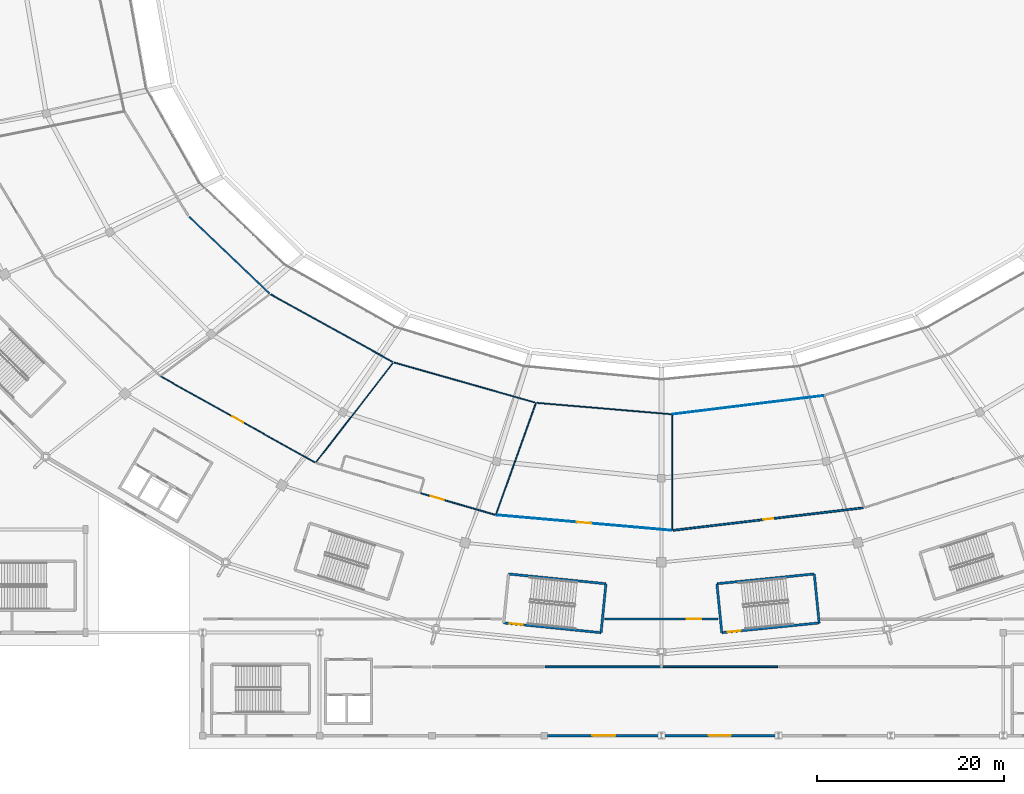
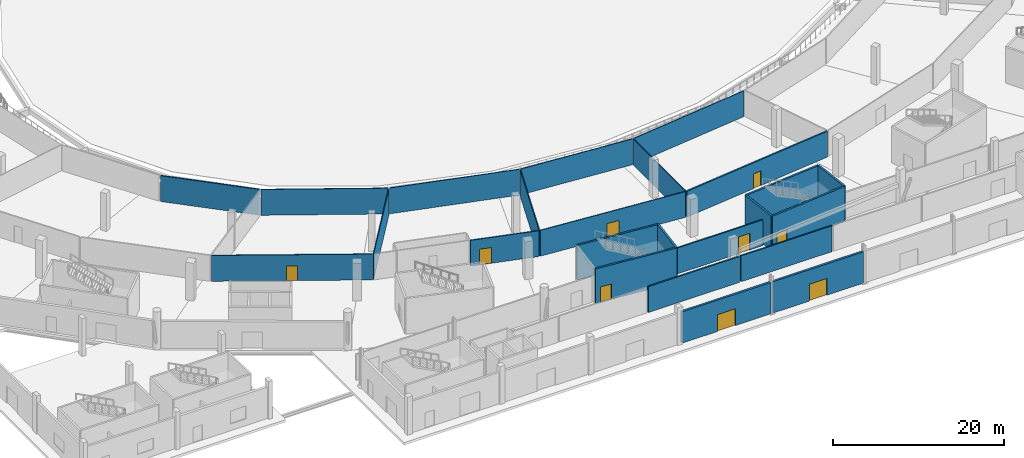
# One storey, part 39 of 82: 24 walls, 9 doors, 9 openings.
"""IFC4 building model written with IfcOpenShell, lengths in metres."""

import ifcopenshell
import ifcopenshell.guid

model = None  # the IFC model being written
_history = None  # IfcOwnerHistory: only IFC2X3 demands one
_inside = {}  # id of a spatial element -> (the spatial element, [elements in it])
_under = {}  # id of a project, library or spatial element -> (it, [spatial elements below it])
_declared = {}  # id of a project -> (the project, [libraries it declares])
_typed = {}  # id of a type object -> (the type object, [elements of that type])
_made_of = {}  # id of a material, layer set ... -> (it, [elements and type objects made of it])


def new_model(schema):
    """Start an empty IFC model of exactly this schema.

    Asked for "IFC4X3", IfcOpenShell would pick the latest addendum, in which some entities
    have other attributes; the version numbers below select the first issue.
    IFC2X3 requires an IfcOwnerHistory on every rooted entity: one is made here for all.
    """
    global model, _history
    if schema == "IFC4X3":
        model = ifcopenshell.file(schema_version=(4, 3, 0, 0))
    else:
        model = ifcopenshell.file(schema=schema)
    _inside.clear()
    _under.clear()
    _declared.clear()
    _typed.clear()
    _made_of.clear()
    _history = None
    if model.schema == "IFC2X3":
        org = make("IfcOrganization", Name="unknown")
        user = make(
            "IfcPersonAndOrganization",
            ThePerson=make("IfcPerson", FamilyName="unknown"),
            TheOrganization=org,
        )
        app = make(
            "IfcApplication",
            ApplicationDeveloper=org,
            Version="unknown",
            ApplicationFullName="unknown",
            ApplicationIdentifier="unknown",
        )
        _history = make(
            "IfcOwnerHistory",
            OwningUser=user,
            OwningApplication=app,
            ChangeAction="ADDED",
            CreationDate=0,
        )
    return model


def make(cls, **values):
    """One entity of the class cls with the attributes given. An attribute that is None is left unset."""
    return model.create_entity(
        cls, **{name: value for name, value in values.items() if value is not None}
    )


def rooted(cls, **values):
    """An entity with a GlobalId (a new one), such as an element, a storey or a relation."""
    return make(cls, GlobalId=ifcopenshell.guid.new(), OwnerHistory=_history, **values)


def si_unit(unit_type, name, prefix=None):
    """IfcSIUnit, for example si_unit("LENGTHUNIT", "METRE", prefix="MILLI")."""
    return make("IfcSIUnit", UnitType=unit_type, Prefix=prefix, Name=name)


def assignment(units):
    """IfcUnitAssignment: the units of a project."""
    return None if units is None else make("IfcUnitAssignment", Units=units)


def point(xyz):
    """IfcCartesianPoint."""
    return None if xyz is None else make("IfcCartesianPoint", Coordinates=xyz)


def direction(xyz):
    """IfcDirection."""
    return None if xyz is None else make("IfcDirection", DirectionRatios=xyz)


def frame(location, z_axis=None, x_axis=None):
    """IfcAxis2Placement3D, a coordinate frame: its origin and axes. An axis left out is left unset."""
    return make(
        "IfcAxis2Placement3D",
        Location=point(location),
        Axis=direction(z_axis),
        RefDirection=direction(x_axis),
    )


def frame_2d(location, x_axis=None):
    """IfcAxis2Placement2D, a coordinate frame in the plane: its origin and x axis."""
    return make(
        "IfcAxis2Placement2D", Location=point(location), RefDirection=direction(x_axis)
    )


def origin():
    """The frame at (0, 0, 0) with its axes left unset."""
    return frame((0.0, 0.0, 0.0))


def place(relative_to, where):
    """IfcLocalPlacement: puts the frame where relative to a parent placement (None: the world)."""
    return make(
        "IfcLocalPlacement", PlacementRelTo=relative_to, RelativePlacement=where
    )


def context(
    kind, dimensions, precision=None, world=None, true_north=None, identifier=None
):
    """IfcGeometricRepresentationContext, for example the 3D "Model" context."""
    return make(
        "IfcGeometricRepresentationContext",
        ContextIdentifier=identifier,
        ContextType=kind,
        CoordinateSpaceDimension=dimensions,
        Precision=precision,
        WorldCoordinateSystem=world,
        TrueNorth=true_north,
    )


def subcontext(parent, identifier, kind, view, scale=None):
    """IfcGeometricRepresentationSubContext, for example "Body" below "Model"."""
    return make(
        "IfcGeometricRepresentationSubContext",
        ContextIdentifier=identifier,
        ContextType=kind,
        ParentContext=parent,
        TargetScale=scale,
        TargetView=view,
    )


def project(units=None, contexts=None):
    """IfcProject with its units and contexts."""
    return rooted(
        "IfcProject",
        Name="project",
        RepresentationContexts=contexts,
        UnitsInContext=assignment(units),
    )


def spatial(cls, under=None, at=None, **own):
    """A site, building, storey or space (cls), placed at a placement, below another one or the project."""
    s = rooted(cls, ObjectPlacement=at, **own)
    if under is not None:
        _under.setdefault(under.id(), (under, []))[1].append(s)
    return s


def profile(cls, at=None, kind="AREA", **sizes):
    """A parametric profile (cls). Its sizes go by their IFC names, for example OverallWidth=200.0."""
    return make(cls, ProfileType=kind, Position=at, **sizes)


def rectangle(**sizes):
    """IfcRectangleProfileDef."""
    return profile("IfcRectangleProfileDef", **sizes)


def extrude(swept, where, along, depth):
    """IfcExtrudedAreaSolid: the profile swept, set in the frame where, extruded along a direction by depth."""
    return make(
        "IfcExtrudedAreaSolid",
        SweptArea=swept,
        Position=where,
        ExtrudedDirection=direction(along),
        Depth=depth,
    )


def shape(context_of_items, identifier, shape_type, items):
    """IfcShapeRepresentation: the items that make up one representation, for example the "Body"."""
    return make(
        "IfcShapeRepresentation",
        ContextOfItems=context_of_items,
        RepresentationIdentifier=identifier,
        RepresentationType=shape_type,
        Items=items,
    )


def material(Name=None, Category=None):
    """IfcMaterial."""
    return make("IfcMaterial", Name=Name, Category=Category)


def layer(
    of_material, thickness, ventilated=None, Name=None, Category=None, Priority=None
):
    """IfcMaterialLayer: one layer of a wall or slab, of a material (None: an air gap)."""
    return make(
        "IfcMaterialLayer",
        Material=of_material,
        LayerThickness=thickness,
        IsVentilated=ventilated,
        Name=Name,
        Category=Category,
        Priority=Priority,
    )


def layer_set(layers, Name=None):
    """IfcMaterialLayerSet."""
    return make("IfcMaterialLayerSet", MaterialLayers=layers, LayerSetName=Name)


def made_of(thing, what):
    """Note that an element or type object is made of a material, layer set ...; save() writes the relation."""
    if what is not None:
        _made_of.setdefault(what.id(), (what, []))[1].append(thing)
    return thing


def type_object(cls, material=None, **own):
    """A type object (cls), such as IfcWallType, which elements share."""
    return made_of(rooted(cls, **own), material)


def element(
    cls,
    number,
    at=None,
    inside=None,
    cuts=None,
    type_object=None,
    material=None,
    context=None,
    identifier="Body",
    shape_type=None,
    held_by="IfcProductDefinitionShape",
    body=None,
    shapes=None,
    **own,
):
    """One element of the class cls, such as IfcWall. Its Tag is "e" and its number.

    at: its placement. inside: the storey or other place that contains it. cuts: it is an
    opening in that element (IfcRelVoidsElement). A single representation is given by context,
    identifier, shape_type and body (its items); several are given by shapes. held_by: the class
    of the entity that holds the representations. save() writes the other relations.
    """
    e = rooted(cls, Tag="e%d" % number, ObjectPlacement=at, **own)
    if body is not None:
        shapes = [shape(context, identifier, shape_type, body)]
    if shapes is not None:
        e.Representation = make(held_by, Representations=shapes)
    if inside is not None:
        _inside.setdefault(inside.id(), (inside, []))[1].append(e)
    if cuts is not None:
        rooted(
            "IfcRelVoidsElement", RelatingBuildingElement=cuts, RelatedOpeningElement=e
        )
    if type_object is not None:
        _typed.setdefault(type_object.id(), (type_object, []))[1].append(e)
    return made_of(e, material)


def fill(opening, filler):
    """IfcRelFillsElement: the door or window that sits in an opening."""
    return rooted(
        "IfcRelFillsElement",
        RelatingOpeningElement=opening,
        RelatedBuildingElement=filler,
    )


def aggregate(whole, parts):
    """IfcRelAggregates: a whole, such as a stair, and the parts it consists of."""
    return rooted("IfcRelAggregates", RelatingObject=whole, RelatedObjects=parts)


def save(model, path):
    """Write the relations noted so far, then the file.

    IfcRelAggregates (storeys below a building ...), IfcRelContainedInSpatialStructure (elements
    in a storey), IfcRelDefinesByType, IfcRelAssociatesMaterial and IfcRelDeclares: one each for
    every whole, place, type object, material and project.
    """
    for whole, parts in _under.values():
        aggregate(whole, parts)
    for where, things in _inside.values():
        rooted(
            "IfcRelContainedInSpatialStructure",
            RelatedElements=things,
            RelatingStructure=where,
        )
    for kind, things in _typed.values():
        rooted("IfcRelDefinesByType", RelatedObjects=things, RelatingType=kind)
    for what, things in _made_of.values():
        rooted("IfcRelAssociatesMaterial", RelatedObjects=things, RelatingMaterial=what)
    for by, libraries in _declared.values():
        rooted("IfcRelDeclares", RelatingContext=by, RelatedDefinitions=libraries)
    model.write(path)


model = new_model("IFC4")

# Units and contexts
model_context = context("Model", 3, precision=1e-05, world=origin(), true_north=direction((0.0, 1.0)))
body_context = subcontext(model_context, "Body", "Model", "MODEL_VIEW")
ifc_project = project(units=[si_unit("LENGTHUNIT", "METRE"), si_unit("AREAUNIT", "SQUARE_METRE"), si_unit("VOLUMEUNIT", "CUBIC_METRE"), si_unit("PLANEANGLEUNIT", "RADIAN"), si_unit("MASSUNIT", "GRAM", prefix="KILO")], contexts=[model_context])

# Site, building, storey
site_placement = place(None, origin())
site = spatial("IfcSite", under=ifc_project, at=site_placement, CompositionType="ELEMENT")
building_placement = place(site_placement, origin())
building = spatial("IfcBuilding", under=site, at=building_placement, Name="Zlatoyarsky Gate Stadium", CompositionType="ELEMENT")
storey_placement = place(building_placement, origin())
storey = spatial("IfcBuildingStorey", under=building, at=storey_placement, Name="L00", CompositionType="ELEMENT", Elevation=0.0)

# Walls
ifc_material_1 = material(Name="Anodised aluminium acoustic operable wall", Category="aluminium")
ifc_layer_1 = layer(ifc_material_1, 0.114990234375)
ifc_layer_set_1 = layer_set([ifc_layer_1], Name="Anodised aluminium acoustic operable wall")
wall_type_1 = type_object("IfcWallType", Name="ACOUSTIC OPERABLE SUITE WALL 115", PredefinedType="MOVABLE", material=ifc_layer_set_1)
wall_1_placement = place(storey_placement, frame((82.460205078125, 39.846923828125, 0.0), z_axis=(0.0, 0.0, 1.0), x_axis=(0.961896561594, -0.273413614865, 0.0)))
element("IfcWall", 1, at=wall_1_placement, inside=storey, type_object=wall_type_1, Name="L00 interior partition PRT-L00-IRN-16", PredefinedType="MOVABLE", context=body_context, shape_type="SweptSolid", body=[
    extrude(rectangle(XDim=15.6630859375, YDim=0.114990234375, at=frame_2d((7.83154296875, 0.0))), origin(), (0.0, 0.0, 1.0), 3.68994140625),
])
wall_2_placement = place(storey_placement, frame((112.144287109375, 34.2294921875, 0.0), z_axis=(0.0, 0.0, 1.0), x_axis=(0.0, -1.0, 0.0)))
element("IfcWall", 2, at=wall_2_placement, inside=storey, type_object=wall_type_1, Name="L00 interior partition PRT-L00-IRD-18", PredefinedType="MOVABLE", context=body_context, shape_type="SweptSolid", body=[
    extrude(rectangle(XDim=12.230224609375, YDim=0.114990234375, at=frame_2d((6.115234375, 0.0))), origin(), (0.0, 0.0, 1.0), 3.68994140625),
])

# Wall, opening, door
ifc_material_2 = material(Name="Gypsum-clad mineral wool fire partition", Category="gypsum")
ifc_layer_2 = layer(ifc_material_2, 0.199951171875)
ifc_layer_set_2 = layer_set([ifc_layer_2], Name="Gypsum-clad mineral wool fire partition")
wall_type_2 = type_object("IfcWallType", Name="COMPARTMENT FIRE PARTITION WALL 200", PredefinedType="PARTITIONING", material=ifc_layer_set_2)
wall_3_placement = place(storey_placement, frame((112.228759765625, 21.92431640625, 0.0), z_axis=(0.0, 0.0, 1.0), x_axis=(0.993087286647, 0.11737819687, 0.0)))
wall_3 = element("IfcWall", 3, at=wall_3_placement, inside=storey, type_object=wall_type_2, Name="L00 interior partition PRT-L00-ICC-18", PredefinedType="PARTITIONING", context=body_context, shape_type="SweptSolid", body=[
    extrude(rectangle(XDim=20.470947265625, YDim=0.199951171875, at=frame_2d((10.2353515625, 0.0))), origin(), (0.0, 0.0, 1.0), 3.68994140625),
])
opening_1_placement = place(wall_3_placement, frame((9.6953125, 0.0, 0.0)))
opening_1 = element("IfcOpeningElement", 4, at=opening_1_placement, cuts=wall_3, Name="Opening D-L00-170", PredefinedType="OPENING", context=body_context, shape_type="SweptSolid", body=[
    extrude(rectangle(XDim=1.080078125, YDim=2.10009765625, at=frame_2d((0.5400390625, 1.050048828125))), frame((0.0, 0.10986328125, 0.0), z_axis=(0.0, -1.0, 0.0), x_axis=(1.0, 0.0, 0.0)), (0.0, 0.0, 1.0), 0.219970703125),
])
ifc_material_3 = material(Name="Powder-coated steel fire door", Category="steel")
door_type_1 = type_object("IfcDoorType", Name="ACOUSTIC INTERIOR DOOR 1080X2100", OperationType="NOTDEFINED", PredefinedType="DOOR", material=ifc_material_3)
door_1_placement = place(opening_1_placement, origin())
door_1 = element("IfcDoor", 5, at=door_1_placement, inside=storey, type_object=door_type_1, Name="L00 room door D-L00-170", OperationType="SINGLE_SWING_LEFT", OverallHeight=2.10009765625, OverallWidth=1.080078125, PredefinedType="DOOR", context=body_context, shape_type="SweptSolid", body=[
    extrude(rectangle(XDim=1.080078125, YDim=2.10009765625, at=frame_2d((0.5400390625, 1.050048828125))), frame((0.0, 0.02490234375, 0.0), z_axis=(0.0, -1.0, 0.0), x_axis=(1.0, 0.0, 0.0)), (0.0, 0.0, 1.0), 0.050048828125),
])
fill(opening_1, door_1)

# Walls
wall_4_placement = place(storey_placement, frame((98.5849609375, 7.35009765625, 0.0), z_axis=(0.0, 0.0, 1.0), x_axis=(1.0, 0.0, 0.0)))
element("IfcWall", 6, at=wall_4_placement, inside=storey, type_object=wall_type_2, Name="L00 interior partition PRT-L00-V3SC-S3_3", PredefinedType="PARTITIONING", context=body_context, shape_type="SweptSolid", body=[
    extrude(rectangle(XDim=12.330078125, YDim=0.199951171875, at=frame_2d((6.1650390625, 0.0))), origin(), (0.0, 0.0, 1.0), 3.68994140625),
])
ifc_material_4 = material(Name="Concrete C40/50", Category="concrete")
ifc_layer_3 = layer(ifc_material_4, 0.25)
ifc_layer_set_3 = layer_set([ifc_layer_3], Name="Concrete C40/50")
wall_type_3 = type_object("IfcWallType", Name="CONCRETE STAIR CORE SHEAR WALL 250", PredefinedType="SHEAR", material=ifc_layer_set_3)
wall_5_placement = place(storey_placement, frame((116.92138671875, 16.220947265625, 0.0), z_axis=(0.0, 0.0, 1.0), x_axis=(0.100028593886, -0.994984562898, 0.0)))
element("IfcWall", 7, at=wall_5_placement, inside=storey, type_object=wall_type_3, Name="ST-10 L00 stair core entrance shear wall", PredefinedType="SHEAR", context=body_context, shape_type="SweptSolid", body=[
    extrude(rectangle(XDim=5.25, YDim=0.25, at=frame_2d((2.625, 0.0))), origin(), (0.0, 0.0, 1.0), 4.93994140625),
])

# Wall, opening, door
wall_6_placement = place(storey_placement, frame((117.446533203125, 10.997314453125, 0.0), z_axis=(0.0, 0.0, 1.0), x_axis=(0.994985938948, 0.100014905366, 0.0)))
wall_6 = element("IfcWall", 8, at=wall_6_placement, inside=storey, type_object=wall_type_3, Name="ST-10 L00 stair core left shear wall", PredefinedType="SHEAR", context=body_context, shape_type="SweptSolid", body=[
    extrude(rectangle(XDim=10.4501953125, YDim=0.25, at=frame_2d((5.22509765625, 0.0))), origin(), (0.0, 0.0, 1.0), 4.93994140625),
])
opening_2_placement = place(wall_6_placement, frame((0.64990234375, 0.0, 0.0)))
opening_2 = element("IfcOpeningElement", 9, at=opening_2_placement, cuts=wall_6, Name="Opening SD-ST-10-L00", PredefinedType="OPENING", context=body_context, shape_type="SweptSolid", body=[
    extrude(rectangle(XDim=1.39990234375, YDim=2.199951171875, at=frame_2d((0.699951171875, 1.10009765625))), frame((0.0, 0.135009765625, 0.0), z_axis=(0.0, -1.0, 0.0), x_axis=(1.0, 0.0, 0.0)), (0.0, 0.0, 1.0), 0.27001953125),
])
door_type_2 = type_object("IfcDoorType", Name="STAIR CORE FIRE EXIT DOOR 1400X2200", OperationType="NOTDEFINED", PredefinedType="DOOR", material=ifc_material_3)
door_2_placement = place(opening_2_placement, frame((1.39990234375, 0.0, 0.0), z_axis=(0.0, 0.0, 1.0), x_axis=(-1.0, 0.0, 0.0)))
door_2 = element("IfcDoor", 10, at=door_2_placement, inside=storey, type_object=door_type_2, Name="ST-10 L00 protected exit discharge fire door", OperationType="SINGLE_SWING_RIGHT", OverallHeight=2.199951171875, OverallWidth=1.39990234375, PredefinedType="DOOR", context=body_context, shape_type="SweptSolid", body=[
    extrude(rectangle(XDim=1.39990234375, YDim=2.199951171875, at=frame_2d((0.699951171875, 1.10009765625))), frame((0.0, 0.02490234375, 0.0), z_axis=(0.0, -1.0, 0.0), x_axis=(1.0, 0.0, 0.0)), (0.0, 0.0, 1.0), 0.050048828125),
])
fill(opening_2, door_2)

# Walls
wall_7_placement = place(storey_placement, frame((127.84423828125, 12.04248046875, 0.0), z_axis=(0.0, 0.0, 1.0), x_axis=(-0.100028593886, 0.994984562898, 0.0)))
element("IfcWall", 11, at=wall_7_placement, inside=storey, type_object=wall_type_3, Name="ST-10 L00 stair core far shear wall", PredefinedType="SHEAR", context=body_context, shape_type="SweptSolid", body=[
    extrude(rectangle(XDim=5.25, YDim=0.25, at=frame_2d((2.625, 0.0))), origin(), (0.0, 0.0, 1.0), 4.93994140625),
])
wall_8_placement = place(storey_placement, frame((127.319091796875, 17.26611328125, 0.0), z_axis=(0.0, 0.0, 1.0), x_axis=(-0.994985938948, -0.100014905366, 0.0)))
element("IfcWall", 12, at=wall_8_placement, inside=storey, type_object=wall_type_3, Name="ST-10 L00 stair core right shear wall", PredefinedType="SHEAR", context=body_context, shape_type="SweptSolid", body=[
    extrude(rectangle(XDim=10.4501953125, YDim=0.25, at=frame_2d((5.22509765625, 0.0))), origin(), (0.0, 0.0, 1.0), 4.93994140625),
])

# Wall, opening, door
wall_9_placement = place(storey_placement, frame((94.15576171875, 12.042236328125, 0.0), z_axis=(0.0, 0.0, 1.0), x_axis=(0.994988263568, -0.09999177647, 0.0)))
wall_9 = element("IfcWall", 13, at=wall_9_placement, inside=storey, type_object=wall_type_3, Name="ST-19 L00 stair core left shear wall", PredefinedType="SHEAR", context=body_context, shape_type="SweptSolid", body=[
    extrude(rectangle(XDim=10.4501953125, YDim=0.25, at=frame_2d((5.22509765625, 0.0))), origin(), (0.0, 0.0, 1.0), 4.93994140625),
])
opening_3_placement = place(wall_9_placement, frame((0.64990234375, 0.0, 0.0)))
opening_3 = element("IfcOpeningElement", 14, at=opening_3_placement, cuts=wall_9, Name="Opening SD-ST-19-L00", PredefinedType="OPENING", context=body_context, shape_type="SweptSolid", body=[
    extrude(rectangle(XDim=1.39990234375, YDim=2.199951171875, at=frame_2d((0.699951171875, 1.10009765625))), frame((0.0, 0.135009765625, 0.0), z_axis=(0.0, -1.0, 0.0), x_axis=(1.0, 0.0, 0.0)), (0.0, 0.0, 1.0), 0.27001953125),
])
door_3_placement = place(opening_3_placement, frame((1.39990234375, 0.0, 0.0), z_axis=(0.0, 0.0, 1.0), x_axis=(-1.0, 0.0, 0.0)))
door_3 = element("IfcDoor", 15, at=door_3_placement, inside=storey, type_object=door_type_2, Name="ST-19 L00 protected exit discharge fire door", OperationType="SINGLE_SWING_RIGHT", OverallHeight=2.199951171875, OverallWidth=1.39990234375, PredefinedType="DOOR", context=body_context, shape_type="SweptSolid", body=[
    extrude(rectangle(XDim=1.39990234375, YDim=2.199951171875, at=frame_2d((0.699951171875, 1.10009765625))), frame((0.0, 0.02490234375, 0.0), z_axis=(0.0, -1.0, 0.0), x_axis=(1.0, 0.0, 0.0)), (0.0, 0.0, 1.0), 0.050048828125),
])
fill(opening_3, door_3)

# Walls
wall_10_placement = place(storey_placement, frame((104.553466796875, 10.997314453125, 0.0), z_axis=(0.0, 0.0, 1.0), x_axis=(0.099982555566, 0.994989190184, 0.0)))
element("IfcWall", 16, at=wall_10_placement, inside=storey, type_object=wall_type_3, Name="ST-19 L00 stair core far shear wall", PredefinedType="SHEAR", context=body_context, shape_type="SweptSolid", body=[
    extrude(rectangle(XDim=5.25, YDim=0.25, at=frame_2d((2.625, 0.0))), origin(), (0.0, 0.0, 1.0), 4.93994140625),
])
wall_11_placement = place(storey_placement, frame((105.078369140625, 16.220947265625, 0.0), z_axis=(0.0, 0.0, 1.0), x_axis=(-0.994985705245, 0.100017230303, 0.0)))
element("IfcWall", 17, at=wall_11_placement, inside=storey, type_object=wall_type_3, Name="ST-19 L00 stair core right shear wall", PredefinedType="SHEAR", context=body_context, shape_type="SweptSolid", body=[
    extrude(rectangle(XDim=10.449951171875, YDim=0.25, at=frame_2d((5.22509765625, 0.0))), origin(), (0.0, 0.0, 1.0), 4.93994140625),
])
ifc_material_5 = material(Name="Timber-veneered acoustic operable partition", Category="wood")
ifc_layer_4 = layer(ifc_material_5, 0.094970703125)
ifc_layer_set_4 = layer_set([ifc_layer_4], Name="Timber-veneered acoustic operable partition")
wall_type_4 = type_object("IfcWallType", Name="FOLDING BANQUET SALON WALL 95", PredefinedType="MOVABLE", material=ifc_layer_set_4)
wall_12_placement = place(storey_placement, frame((112.228759765625, 34.324951171875, 0.0), z_axis=(0.0, 0.0, 1.0), x_axis=(0.992450818831, 0.122643272139, 0.0)))
element("IfcWall", 18, at=wall_12_placement, inside=storey, type_object=wall_type_4, Name="L00 interior partition PRT-L00-IRN-18", PredefinedType="MOVABLE", context=body_context, shape_type="SweptSolid", body=[
    extrude(rectangle(XDim=16.154296875, YDim=0.094970703125, at=frame_2d((8.0771484375, 0.0))), origin(), (0.0, 0.0, 1.0), 3.68994140625),
])
ifc_material_6 = material(Name="Acoustic metal-stud gypsum partition", Category="gypsum")
ifc_layer_5 = layer(ifc_material_6, 0.159912109375)
ifc_layer_set_5 = layer_set([ifc_layer_5], Name="Acoustic metal-stud gypsum partition")
wall_type_5 = type_object("IfcWallType", Name="HOSPITALITY SUITE PARTITION 160", PredefinedType="PARTITIONING", material=ifc_layer_set_5)
wall_13_placement = place(storey_placement, frame((60.56005859375, 55.421875, 0.0), z_axis=(0.0, 0.0, 1.0), x_axis=(0.72315108732, -0.690689876072, 0.0)))
element("IfcWall", 19, at=wall_13_placement, inside=storey, type_object=wall_type_5, Name="L00 interior partition PRT-L00-IRN-14", PredefinedType="PARTITIONING", context=body_context, shape_type="SweptSolid", body=[
    extrude(rectangle(XDim=11.875732421875, YDim=0.159912109375, at=frame_2d((5.93798828125, 0.0))), origin(), (0.0, 0.0, 1.0), 3.68994140625),
])

# Wall, opening, door
ifc_material_7 = material(Name="Precast concrete C40/50 architectural panel", Category="concrete")
ifc_layer_6 = layer(ifc_material_7, 0.280029296875)
ifc_layer_set_6 = layer_set([ifc_layer_6], Name="Precast concrete C40/50 architectural panel")
wall_type_6 = type_object("IfcWallType", Name="INSULATED WING SPANDREL WALL 280", PredefinedType="STANDARD", material=ifc_layer_set_6)
wall_14_placement = place(storey_placement, frame((98.846923828125, 0.0, 0.0), z_axis=(0.0, 0.0, 1.0), x_axis=(1.0, 0.0, 0.0)))
wall_14 = element("IfcWall", 20, at=wall_14_placement, inside=storey, type_object=wall_type_6, Name="V3_SOUTH L00 S exterior wall", PredefinedType="STANDARD", context=body_context, shape_type="SweptSolid", body=[
    extrude(rectangle(XDim=12.006103515625, YDim=0.280029296875, at=frame_2d((6.0029296875, 0.0))), origin(), (0.0, 0.0, 1.0), 4.47998046875),
])
opening_4_placement = place(wall_14_placement, frame((4.778076171875, 0.0, 0.0)))
opening_4 = element("IfcOpeningElement", 21, at=opening_4_placement, cuts=wall_14, Name="Opening G14", PredefinedType="OPENING", context=body_context, shape_type="SweptSolid", body=[
    extrude(rectangle(XDim=2.449951171875, YDim=2.39990234375, at=frame_2d((1.22509765625, 1.199951171875))), frame((0.0, 0.14990234375, 0.0), z_axis=(0.0, -1.0, 0.0), x_axis=(1.0, 0.0, 0.0)), (0.0, 0.0, 1.0), 0.300048828125),
])
ifc_material_8 = material(Name="Thermally broken powder-coated steel and laminated safety glass", Category="steel")
door_type_3 = type_object("IfcDoorType", Name="PEDESTRIAN FINAL EXIT DOUBLE DOOR 2450X2400", OperationType="DOUBLE_DOOR_SINGLE_SWING", PredefinedType="DOOR", material=ifc_material_8)
door_4_placement = place(opening_4_placement, frame((2.449951171875, 0.0, 0.0), z_axis=(0.0, 0.0, 1.0), x_axis=(-1.0, 0.0, 0.0)))
door_4 = element("IfcDoor", 22, at=door_4_placement, inside=storey, type_object=door_type_3, Name="Exterior door G14", OperationType="DOUBLE_DOOR_SINGLE_SWING", OverallHeight=2.39990234375, OverallWidth=2.449951171875, PredefinedType="DOOR", context=body_context, shape_type="SweptSolid", body=[
    extrude(rectangle(XDim=2.449951171875, YDim=2.39990234375, at=frame_2d((1.22509765625, 1.199951171875))), frame((0.0, 0.02490234375, 0.0), z_axis=(0.0, -1.0, 0.0), x_axis=(1.0, 0.0, 0.0)), (0.0, 0.0, 1.0), 0.050048828125),
])
fill(opening_4, door_4)

wall_15_placement = place(storey_placement, frame((111.14697265625, 0.0, 0.0), z_axis=(0.0, 0.0, 1.0), x_axis=(1.0, 0.0, 0.0)))
wall_15 = element("IfcWall", 23, at=wall_15_placement, inside=storey, type_object=wall_type_6, Name="V3_SOUTH L00 S exterior wall", PredefinedType="STANDARD", context=body_context, shape_type="SweptSolid", body=[
    extrude(rectangle(XDim=12.2060546875, YDim=0.280029296875, at=frame_2d((6.10302734375, 0.0))), origin(), (0.0, 0.0, 1.0), 4.47998046875),
])
opening_5_placement = place(wall_15_placement, frame((4.927978515625, 0.0, 0.0)))
opening_5 = element("IfcOpeningElement", 24, at=opening_5_placement, cuts=wall_15, Name="Opening G15", PredefinedType="OPENING", context=body_context, shape_type="SweptSolid", body=[
    extrude(rectangle(XDim=2.35009765625, YDim=2.39990234375, at=frame_2d((1.175048828125, 1.199951171875))), frame((0.0, 0.14990234375, 0.0), z_axis=(0.0, -1.0, 0.0), x_axis=(1.0, 0.0, 0.0)), (0.0, 0.0, 1.0), 0.300048828125),
])
door_type_4 = type_object("IfcDoorType", Name="PEDESTRIAN FINAL EXIT DOUBLE DOOR 2350X2400", OperationType="DOUBLE_DOOR_SINGLE_SWING", PredefinedType="DOOR", material=ifc_material_8)
door_5_placement = place(opening_5_placement, frame((2.35009765625, 0.0, 0.0), z_axis=(0.0, 0.0, 1.0), x_axis=(-1.0, 0.0, 0.0)))
door_5 = element("IfcDoor", 25, at=door_5_placement, inside=storey, type_object=door_type_4, Name="Exterior door G15", OperationType="DOUBLE_DOOR_SINGLE_SWING", OverallHeight=2.39990234375, OverallWidth=2.35009765625, PredefinedType="DOOR", context=body_context, shape_type="SweptSolid", body=[
    extrude(rectangle(XDim=2.35009765625, YDim=2.39990234375, at=frame_2d((1.175048828125, 1.199951171875))), frame((0.0, 0.02490234375, 0.0), z_axis=(0.0, -1.0, 0.0), x_axis=(1.0, 0.0, 0.0)), (0.0, 0.0, 1.0), 0.050048828125),
])
fill(opening_5, door_5)

ifc_material_9 = material(Name="Metal-stud gypsum partition", Category="gypsum")
ifc_layer_7 = layer(ifc_material_9, 0.110107421875)
ifc_layer_set_7 = layer_set([ifc_layer_7], Name="Metal-stud gypsum partition")
wall_type_7 = type_object("IfcWallType", Name="KIOSK SERVICE PARTITION 110", PredefinedType="PARTITIONING", material=ifc_layer_set_7)
wall_16_placement = place(storey_placement, frame((57.54638671875, 38.3525390625, 0.0), z_axis=(0.0, 0.0, 1.0), x_axis=(0.873378817677, -0.487041518593, 0.0)))
wall_16 = element("IfcWall", 26, at=wall_16_placement, inside=storey, type_object=wall_type_7, Name="L00 interior partition PRT-L00-ICC-15", PredefinedType="PARTITIONING", context=body_context, shape_type="SweptSolid", body=[
    extrude(rectangle(XDim=18.84423828125, YDim=0.110107421875, at=frame_2d((9.422119140625, 0.0))), origin(), (0.0, 0.0, 1.0), 3.68994140625),
])
opening_6_placement = place(wall_16_placement, frame((8.752197265625, 0.0, 0.0)))
opening_6 = element("IfcOpeningElement", 27, at=opening_6_placement, cuts=wall_16, Name="Opening D-L00-156", PredefinedType="OPENING", context=body_context, shape_type="SweptSolid", body=[
    extrude(rectangle(XDim=1.340087890625, YDim=2.10009765625, at=frame_2d((0.669921875, 1.050048828125))), frame((0.0, 0.06494140625, 0.0), z_axis=(0.0, -1.0, 0.0), x_axis=(1.0, 0.0, 0.0)), (0.0, 0.0, 1.0), 0.130126953125),
])
ifc_material_10 = material(Name="Solid-core oak veneer acoustic door", Category="wood")
door_type_5 = type_object("IfcDoorType", Name="ACOUSTIC INTERIOR DOOR 1340X2100", OperationType="NOTDEFINED", PredefinedType="DOOR", material=ifc_material_10)
door_6_placement = place(opening_6_placement, origin())
door_6 = element("IfcDoor", 28, at=door_6_placement, inside=storey, type_object=door_type_5, Name="L00 room door D-L00-156", OperationType="SINGLE_SWING_LEFT", OverallHeight=2.10009765625, OverallWidth=1.340087890625, PredefinedType="DOOR", context=body_context, shape_type="SweptSolid", body=[
    extrude(rectangle(XDim=1.340087890625, YDim=2.10009765625, at=frame_2d((0.669921875, 1.050048828125))), frame((0.0, 0.02490234375, 0.0), z_axis=(0.0, -1.0, 0.0), x_axis=(1.0, 0.0, 0.0)), (0.0, 0.0, 1.0), 0.050048828125),
])
fill(opening_6, door_6)

# Walls
wall_17_placement = place(storey_placement, frame((97.69287109375, 35.5341796875, 0.0), z_axis=(0.0, 0.0, 1.0), x_axis=(0.996458090884, -0.084090862239, 0.0)))
element("IfcWall", 29, at=wall_17_placement, inside=storey, type_object=wall_type_7, Name="L00 interior partition PRT-L00-IRN-17", PredefinedType="PARTITIONING", context=body_context, shape_type="SweptSolid", body=[
    extrude(rectangle(XDim=14.417724609375, YDim=0.110107421875, at=frame_2d((7.208984375, 0.0))), origin(), (0.0, 0.0, 1.0), 3.68994140625),
])
ifc_layer_8 = layer(ifc_material_9, 0.10009765625)
ifc_layer_set_8 = layer_set([ifc_layer_8], Name="Metal-stud gypsum partition")
wall_type_8 = type_object("IfcWallType", Name="LIGHT STORAGE PARTITION 100", PredefinedType="PARTITIONING", material=ifc_layer_set_8)
wall_18_placement = place(storey_placement, frame((82.326416015625, 39.802734375, 0.0), z_axis=(0.0, 0.0, 1.0), x_axis=(-0.611581787037, -0.791181216767, 0.0)))
element("IfcWall", 30, at=wall_18_placement, inside=storey, type_object=wall_type_8, Name="L00 interior partition PRT-L00-IRD-16", PredefinedType="PARTITIONING", context=body_context, shape_type="SweptSolid", body=[
    extrude(rectangle(XDim=13.400634765625, YDim=0.10009765625, at=frame_2d((6.7001953125, 0.0))), origin(), (0.0, 0.0, 1.0), 3.68994140625),
])

# Wall, opening, door
wall_19_placement = place(storey_placement, frame((93.396484375, 23.557373046875, 0.0), z_axis=(0.0, 0.0, 1.0), x_axis=(0.99618108979, -0.087311146743, 0.0)))
wall_19 = element("IfcWall", 31, at=wall_19_placement, inside=storey, type_object=wall_type_8, Name="L00 interior partition PRT-L00-ICC-17", PredefinedType="PARTITIONING", context=body_context, shape_type="SweptSolid", body=[
    extrude(rectangle(XDim=18.734619140625, YDim=0.10009765625, at=frame_2d((9.3671875, 0.0))), origin(), (0.0, 0.0, 1.0), 3.68994140625),
])
opening_7_placement = place(wall_19_placement, frame((8.58740234375, 0.0, 0.0)))
opening_7 = element("IfcOpeningElement", 32, at=opening_7_placement, cuts=wall_19, Name="Opening D-L00-167", PredefinedType="OPENING", context=body_context, shape_type="SweptSolid", body=[
    extrude(rectangle(XDim=1.56005859375, YDim=2.10009765625, at=frame_2d((0.780029296875, 1.050048828125))), frame((0.0, 0.06005859375, 0.0), z_axis=(0.0, -1.0, 0.0), x_axis=(1.0, 0.0, 0.0)), (0.0, 0.0, 1.0), 0.1201171875),
])
door_type_6 = type_object("IfcDoorType", Name="ACOUSTIC INTERIOR DOOR 1560X2100", OperationType="NOTDEFINED", PredefinedType="DOOR", material=ifc_material_10)
door_7_placement = place(opening_7_placement, origin())
door_7 = element("IfcDoor", 33, at=door_7_placement, inside=storey, type_object=door_type_6, Name="L00 room door D-L00-167", OperationType="SINGLE_SWING_RIGHT", OverallHeight=2.10009765625, OverallWidth=1.56005859375, PredefinedType="DOOR", context=body_context, shape_type="SweptSolid", body=[
    extrude(rectangle(XDim=1.56005859375, YDim=2.10009765625, at=frame_2d((0.780029296875, 1.050048828125))), frame((0.0, 0.02490234375, 0.0), z_axis=(0.0, -1.0, 0.0), x_axis=(1.0, 0.0, 0.0)), (0.0, 0.0, 1.0), 0.050048828125),
])
fill(opening_7, door_7)

# Walls
ifc_layer_9 = layer(ifc_material_9, 0.1201171875)
ifc_layer_set_9 = layer_set([ifc_layer_9], Name="Metal-stud gypsum partition")
wall_type_9 = type_object("IfcWallType", Name="OFFICE AND PRESS PARTITION 120", PredefinedType="PARTITIONING", material=ifc_layer_set_9)
wall_20_placement = place(storey_placement, frame((69.28369140625, 47.11962890625, 0.0), z_axis=(0.0, 0.0, 1.0), x_axis=(0.874875953972, -0.484347050328, 0.0)))
element("IfcWall", 34, at=wall_20_placement, inside=storey, type_object=wall_type_9, Name="L00 interior partition PRT-L00-IRN-15", PredefinedType="PARTITIONING", context=body_context, shape_type="SweptSolid", body=[
    extrude(rectangle(XDim=14.88232421875, YDim=0.1201171875, at=frame_2d((7.441162109375, 0.0))), origin(), (0.0, 0.0, 1.0), 3.68994140625),
])
wall_21_placement = place(storey_placement, frame((97.579345703125, 35.461181640625, 0.0), z_axis=(0.0, 0.0, 1.0), x_axis=(-0.337651827783, -0.941271078486, 0.0)))
element("IfcWall", 35, at=wall_21_placement, inside=storey, type_object=wall_type_9, Name="L00 interior partition PRT-L00-IRD-17", PredefinedType="PARTITIONING", context=body_context, shape_type="SweptSolid", body=[
    extrude(rectangle(XDim=12.5537109375, YDim=0.1201171875, at=frame_2d((6.27685546875, 0.0))), origin(), (0.0, 0.0, 1.0), 3.68994140625),
])

# Wall, opening, door
ifc_layer_10 = layer(ifc_material_2, 0.179931640625)
ifc_layer_set_10 = layer_set([ifc_layer_10], Name="Gypsum-clad mineral wool fire partition")
wall_type_10 = type_object("IfcWallType", Name="PLANT AND KITCHEN RATED WALL 180", PredefinedType="PARTITIONING", material=ifc_layer_set_10)
wall_22_placement = place(storey_placement, frame((104.960205078125, 12.449951171875, 0.0), z_axis=(0.0, 0.0, 1.0), x_axis=(1.0, 0.0, 0.0)))
wall_22 = element("IfcWall", 36, at=wall_22_placement, inside=storey, type_object=wall_type_10, Name="L00 interior partition PRT-L00-V3SC-N2", PredefinedType="PARTITIONING", context=body_context, shape_type="SweptSolid", body=[
    extrude(rectangle(XDim=12.079345703125, YDim=0.179931640625, at=frame_2d((6.03955078125, 0.0))), origin(), (0.0, 0.0, 1.0), 3.68994140625),
])
opening_8_placement = place(wall_22_placement, frame((8.729248046875, 0.0, 0.0)))
opening_8 = element("IfcOpeningElement", 37, at=opening_8_placement, cuts=wall_22, Name="Opening D-L00-199", PredefinedType="OPENING", context=body_context, shape_type="SweptSolid", body=[
    extrude(rectangle(XDim=1.56005859375, YDim=2.3798828125, at=frame_2d((0.780029296875, 1.18994140625))), frame((0.0, 0.099853515625, 0.0), z_axis=(0.0, -1.0, 0.0), x_axis=(1.0, 0.0, 0.0)), (0.0, 0.0, 1.0), 0.199951171875),
])
door_type_7 = type_object("IfcDoorType", Name="ACOUSTIC INTERIOR DOOR 1560X2380", OperationType="NOTDEFINED", PredefinedType="DOOR", material=ifc_material_3)
door_8_placement = place(opening_8_placement, origin())
door_8 = element("IfcDoor", 38, at=door_8_placement, inside=storey, type_object=door_type_7, Name="L00 room door D-L00-199", OperationType="SINGLE_SWING_LEFT", OverallHeight=2.3798828125, OverallWidth=1.56005859375, PredefinedType="DOOR", context=body_context, shape_type="SweptSolid", body=[
    extrude(rectangle(XDim=1.56005859375, YDim=2.3798828125, at=frame_2d((0.780029296875, 1.18994140625))), frame((0.0, 0.02490234375, 0.0), z_axis=(0.0, -1.0, 0.0), x_axis=(1.0, 0.0, 0.0)), (0.0, 0.0, 1.0), 0.050048828125),
])
fill(opening_8, door_8)

# Wall
wall_23_placement = place(storey_placement, frame((111.0849609375, 7.35009765625, 0.0), z_axis=(0.0, 0.0, 1.0), x_axis=(1.0, 0.0, 0.0)))
element("IfcWall", 39, at=wall_23_placement, inside=storey, type_object=wall_type_10, Name="L00 interior partition PRT-L00-V3SC-S3_4", PredefinedType="PARTITIONING", context=body_context, shape_type="SweptSolid", body=[
    extrude(rectangle(XDim=12.330078125, YDim=0.179931640625, at=frame_2d((6.1650390625, 0.0))), origin(), (0.0, 0.0, 1.0), 3.68994140625),
])

# Wall, opening, door
ifc_material_11 = material(Name="Moisture-resistant tile-backed partition", Category="gypsum")
ifc_layer_11 = layer(ifc_material_11, 0.1298828125)
ifc_layer_set_11 = layer_set([ifc_layer_11], Name="Moisture-resistant tile-backed partition")
wall_type_11 = type_object("IfcWallType", Name="SANITARY WET ROOM PARTITION 130", PredefinedType="PARTITIONING", material=ifc_layer_set_11)
wall_24_placement = place(storey_placement, frame((85.302978515625, 25.883544921875, 0.0), z_axis=(0.0, 0.0, 1.0), x_axis=(0.960550123967, -0.278106920709, 0.0)))
wall_24 = element("IfcWall", 40, at=wall_24_placement, inside=storey, type_object=wall_type_11, Name="L00 interior partition PRT-L00-ICC-16", PredefinedType="PARTITIONING", context=body_context, shape_type="SweptSolid", body=[
    extrude(rectangle(XDim=8.2529296875, YDim=0.1298828125, at=frame_2d((4.12646484375, 0.0))), origin(), (0.0, 0.0, 1.0), 3.68994140625),
])
opening_9_placement = place(wall_24_placement, frame((1.10009765625, 0.0, 0.0)))
opening_9 = element("IfcOpeningElement", 41, at=opening_9_placement, cuts=wall_24, Name="Opening D-L00-164", PredefinedType="OPENING", context=body_context, shape_type="SweptSolid", body=[
    extrude(rectangle(XDim=1.43994140625, YDim=2.239990234375, at=frame_2d((0.719970703125, 1.1201171875))), frame((0.0, 0.074951171875, 0.0), z_axis=(0.0, -1.0, 0.0), x_axis=(1.0, 0.0, 0.0)), (0.0, 0.0, 1.0), 0.14990234375),
])
door_type_8 = type_object("IfcDoorType", Name="ACOUSTIC INTERIOR DOOR 1440X2240", OperationType="NOTDEFINED", PredefinedType="DOOR", material=ifc_material_10)
door_9_placement = place(opening_9_placement, origin())
door_9 = element("IfcDoor", 42, at=door_9_placement, inside=storey, type_object=door_type_8, Name="L00 room door D-L00-164", OperationType="SINGLE_SWING_LEFT", OverallHeight=2.239990234375, OverallWidth=1.43994140625, PredefinedType="DOOR", context=body_context, shape_type="SweptSolid", body=[
    extrude(rectangle(XDim=1.43994140625, YDim=2.239990234375, at=frame_2d((0.719970703125, 1.1201171875))), frame((0.0, 0.02490234375, 0.0), z_axis=(0.0, -1.0, 0.0), x_axis=(1.0, 0.0, 0.0)), (0.0, 0.0, 1.0), 0.050048828125),
])
fill(opening_9, door_9)

save(model, "model.ifc")
